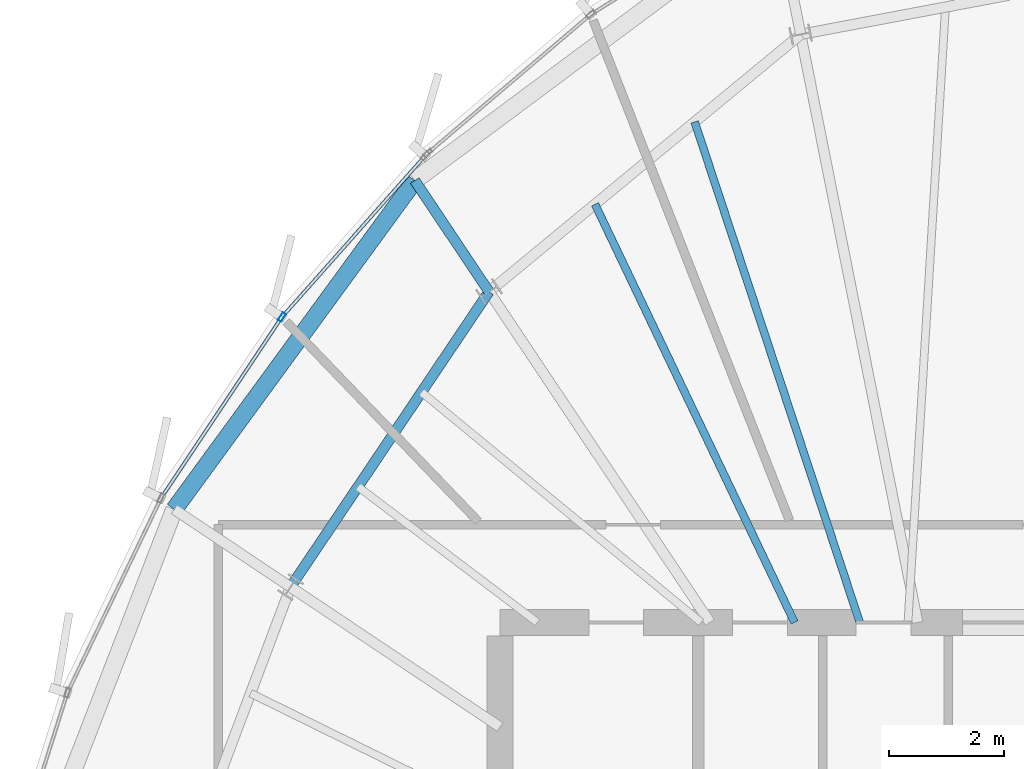
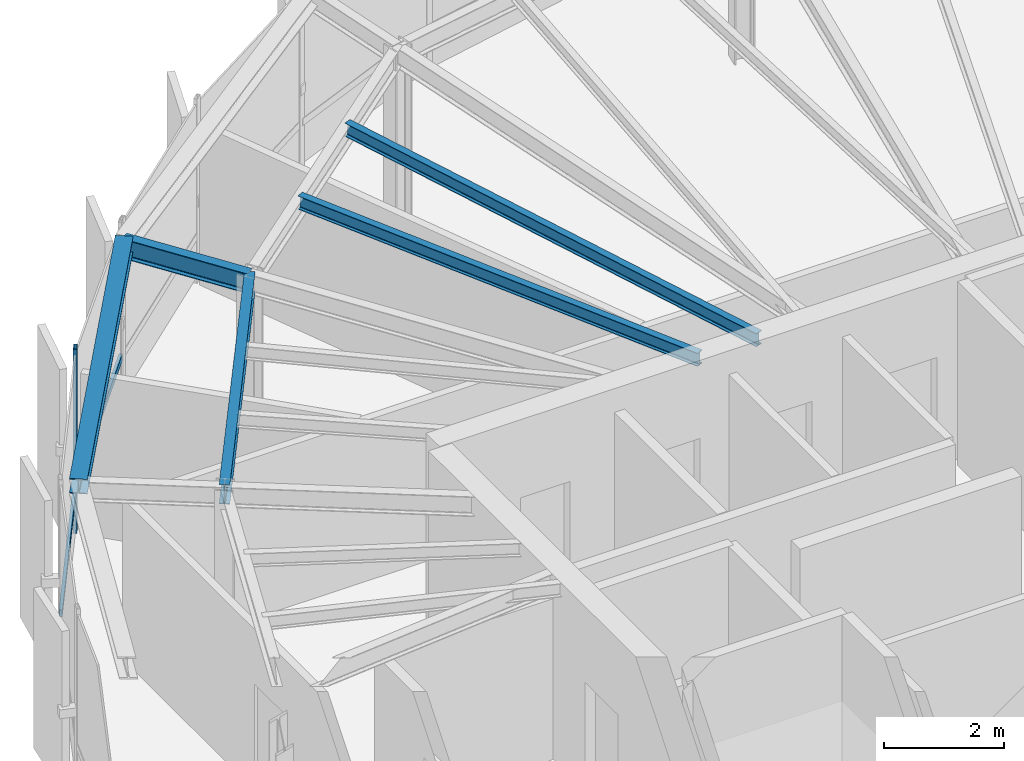
# One storey, part 14 of 27: 5 beams, 3 members, 1 element without a shape of its own.
"""IFC4 building model written with IfcOpenShell, lengths in metres."""

from ifc_helpers import new_model, si_unit, direction, frame, origin, origin_2d, place, context, subcontext, project, spatial, hollow_rectangle, i_section, extrude, source, transform, mapped, material, layer, layer_set, material_profile, profile_set, type_object, element, aggregate, save


model = new_model("IFC4")

# Units and contexts
model_context = context("Model", 3, precision=1e-05, world=origin(), true_north=direction((0.0, 1.0)))
body_context = subcontext(model_context, "Body", "Model", "MODEL_VIEW")
ifc_project = project(units=[si_unit("LENGTHUNIT", "METRE"), si_unit("AREAUNIT", "SQUARE_METRE"), si_unit("VOLUMEUNIT", "CUBIC_METRE"), si_unit("PLANEANGLEUNIT", "RADIAN"), si_unit("MASSUNIT", "GRAM", prefix="KILO"), si_unit("THERMODYNAMICTEMPERATUREUNIT", "KELVIN")], contexts=[model_context])

# Site, building, storey
site_placement = place(None, origin())
site = spatial("IfcSite", under=ifc_project, at=site_placement, CompositionType="ELEMENT")
building_placement = place(site_placement, origin())
building = spatial("IfcBuilding", under=site, at=building_placement, Name="Kethvar Cultural Tower", CompositionType="ELEMENT")
storey_placement = place(building_placement, frame((0.0, 0.0, 308.300048828125)))
storey = spatial("IfcBuildingStorey", under=building, at=storey_placement, Name="L82", CompositionType="ELEMENT", Elevation=308.300048828125)

# Beams
ifc_material_1 = material(Name="Steel S355J2", Category="steel")
ifc_material_profile_1 = material_profile(ifc_material_1, i_section(OverallWidth=0.135009765625, OverallDepth=0.27001953125, WebThickness=0.006591796875, FlangeThickness=0.01025390625, FilletRadius=0.014892578125, at=origin_2d()), Name="Steel S355J2 — IPE270")
ifc_profile_set_1 = profile_set([ifc_material_profile_1], Name="Steel S355J2 — IPE270")
beam_type_1 = type_object("IfcBeamType", Name="BM-J270", PredefinedType="JOIST", material=ifc_profile_set_1)
shared_shape_1 = source(origin(), body_context, "Body", "SweptSolid", [
    extrude(i_section(OverallWidth=0.135009765625, OverallDepth=0.27001953125, WebThickness=0.006591796875, FlangeThickness=0.01025390625, FilletRadius=0.014892578125, at=origin_2d()), origin(), (0.0, 0.0, 1.0), 9.17138671875),
])
beam_1_placement = place(storey_placement, frame((44.260986328125, 35.5, 3.597900390625), z_axis=(-0.313151555446, 0.949703165901, 0.0), x_axis=(-0.949703165901, -0.313151555446, 0.0)))
element("IfcBeam", 1, at=beam_1_placement, inside=storey, type_object=beam_type_1, Name="L82 Composite Floor Joist J-05A", PredefinedType="JOIST", context=body_context, shape_type="MappedRepresentation", body=[
    mapped(shared_shape_1, transform((0.0, 0.0, 0.0), scale=1.0)),
])
shared_shape_2 = source(origin(), body_context, "Body", "SweptSolid", [
    extrude(i_section(OverallWidth=0.135009765625, OverallDepth=0.27001953125, WebThickness=0.006591796875, FlangeThickness=0.01025390625, FilletRadius=0.014892578125, at=origin_2d()), origin(), (0.0, 0.0, 1.0), 8.063232421875),
])
beam_2_placement = place(storey_placement, frame((43.1259765625, 35.5, 3.597900390625), z_axis=(-0.430642151588, 0.902522762746, 0.0), x_axis=(-0.902522762746, -0.430642151588, 0.0)))
element("IfcBeam", 2, at=beam_2_placement, inside=storey, type_object=beam_type_1, Name="L82 Composite Floor Joist J-05B", PredefinedType="JOIST", context=body_context, shape_type="MappedRepresentation", body=[
    mapped(shared_shape_2, transform((0.0, 0.0, 0.0), scale=1.0)),
])
ifc_material_profile_2 = material_profile(ifc_material_1, i_section(OverallWidth=0.179931640625, OverallDepth=0.39990234375, WebThickness=0.008544921875, FlangeThickness=0.013427734375, FilletRadius=0.02099609375, at=origin_2d()), Name="Steel S355J2 — IPE400")
ifc_profile_set_2 = profile_set([ifc_material_profile_2], Name="Steel S355J2 — IPE400")
beam_type_2 = type_object("IfcBeamType", Name="BM-IPE400", PredefinedType="BEAM", material=ifc_profile_set_2)
shared_shape_3 = source(origin(), body_context, "Body", "SweptSolid", [
    extrude(i_section(OverallWidth=0.179931640625, OverallDepth=0.39990234375, WebThickness=0.008544921875, FlangeThickness=0.013427734375, FilletRadius=0.02099609375, at=origin_2d()), origin(), (0.0, 0.0, 1.0), 6.192626953125),
])
beam_3_placement = place(storey_placement, frame((37.8095703125, 41.255126953125, 3.532958984375), z_axis=(-0.557698912025, -0.830043326295, 0.0), x_axis=(0.830043326295, -0.557698912025, 0.0)))
element("IfcBeam", 3, at=beam_3_placement, inside=storey, type_object=beam_type_2, Name="L82 Column Ring Tie Beam CR-06", PredefinedType="BEAM", context=body_context, shape_type="MappedRepresentation", body=[
    mapped(shared_shape_3, transform((0.0, 0.0, 0.0), scale=1.0)),
])
shared_shape_4 = source(origin(), body_context, "Body", "SweptSolid", [
    extrude(i_section(OverallWidth=0.179931640625, OverallDepth=0.39990234375, WebThickness=0.008544921875, FlangeThickness=0.013427734375, FilletRadius=0.02099609375, at=origin_2d()), origin(), (0.0, 0.0, 1.0), 2.327392578125),
])
beam_4_placement = place(storey_placement, frame((37.8095703125, 41.255126953125, 3.532958984375), z_axis=(-0.555571401813, 0.831468831339, 0.0), x_axis=(-0.831468831339, -0.555571401813, 0.0)))
element("IfcBeam", 4, at=beam_4_placement, inside=storey, type_object=beam_type_2, Name="L82 Perimeter Cantilever Beam RC-06", PredefinedType="BEAM", context=body_context, shape_type="MappedRepresentation", body=[
    mapped(shared_shape_4, transform((0.0, 0.0, 0.0), scale=1.0)),
])
ifc_material_profile_3 = material_profile(ifc_material_1, i_section(OverallWidth=0.300048828125, OverallDepth=0.300048828125, WebThickness=0.010986328125, FlangeThickness=0.01904296875, FilletRadius=0.027099609375, at=origin_2d()), Name="Steel S355J2 — HEB300")
ifc_profile_set_3 = profile_set([ifc_material_profile_3], Name="Steel S355J2 — HEB300")
beam_type_3 = type_object("IfcBeamType", Name="BM-SP300", PredefinedType="SPANDREL", material=ifc_profile_set_3)
shared_shape_5 = source(origin(), body_context, "Body", "SweptSolid", [
    extrude(i_section(OverallWidth=0.300048828125, OverallDepth=0.300048828125, WebThickness=0.010986328125, FlangeThickness=0.01904296875, FilletRadius=0.027099609375, at=origin_2d()), origin(), (0.0, 0.0, 1.0), 7.089599609375),
])
beam_5_placement = place(storey_placement, frame((36.5166015625, 43.190185546875, 3.5830078125), z_axis=(-0.590203067372, -0.807254816811, 0.0), x_axis=(0.807254816811, -0.590203067372, 0.0)))
element("IfcBeam", 5, at=beam_5_placement, inside=storey, type_object=beam_type_3, Name="L82 Perimeter Spandrel Beam SP-06", PredefinedType="SPANDREL", context=body_context, shape_type="MappedRepresentation", body=[
    mapped(shared_shape_5, transform((0.0, 0.0, 0.0), scale=1.0)),
])

# Curtain wall, members
ifc_material_2 = material(Name="Aluminium 6063-T6", Category="aluminium")
ifc_layer = layer(ifc_material_2, 0.179931640625, Name="Aluminium 6063-T6", Category="aluminium")
ifc_layer_set = layer_set([ifc_layer], Name="Aluminium 6063-T6 (180 mm)")
curtain_wall_type = type_object("IfcCurtainWallType", Name="CW-SYS-06-CROWN", PredefinedType="NOTDEFINED", material=ifc_layer_set)
curtain_wall_placement = place(storey_placement, origin())
curtain_wall = element("IfcCurtainWall", 6, at=curtain_wall_placement, inside=storey, type_object=curtain_wall_type, Name="L82 Curtain Wall Run 02", PredefinedType="NOTDEFINED")
ifc_material_profile_4 = material_profile(ifc_material_2, hollow_rectangle(XDim=0.06494140625, YDim=0.159912109375, WallThickness=0.0048828125, at=origin_2d()), Name="Aluminium 6063-T6 — RHS160x65x5")
ifc_profile_set_4 = profile_set([ifc_material_profile_4], Name="Aluminium 6063-T6 — RHS160x65x5")
member_type_1 = type_object("IfcMemberType", Name="CW-SYS-06-CROWN-MUL", PredefinedType="MULLION", material=ifc_profile_set_4)
shared_shape_6 = source(origin(), body_context, "Body", "SweptSolid", [
    extrude(hollow_rectangle(XDim=0.06494140625, YDim=0.159912109375, WallThickness=0.0048828125, at=origin_2d()), origin(), (0.0, 0.0, 1.0), 3.73486328125),
])
member_1_placement = place(storey_placement, frame((34.204833984375, 40.81298828125, 0.0), z_axis=(0.0, 0.0, 1.0), x_axis=(0.831944438142, -0.554858947702, 0.0)))
member_1 = element("IfcMember", 7, at=member_1_placement, type_object=member_type_1, Name="CW-L82-R02 Mullion 2", PredefinedType="MULLION", context=body_context, shape_type="MappedRepresentation", body=[
    mapped(shared_shape_6, transform((0.0, 0.0, 0.0), scale=1.0)),
])
ifc_material_profile_5 = material_profile(ifc_material_2, hollow_rectangle(XDim=0.06005859375, YDim=0.139892578125, WallThickness=0.0048828125, at=origin_2d()), Name="Aluminium 6063-T6 — RHS140x60x5")
ifc_profile_set_5 = profile_set([ifc_material_profile_5], Name="Aluminium 6063-T6 — RHS140x60x5")
member_type_2 = type_object("IfcMemberType", Name="CW-SYS-06-CROWN-TRN", PredefinedType="USERDEFINED", material=ifc_profile_set_5)
shared_shape_7 = source(origin(), body_context, "Body", "SweptSolid", [
    extrude(hollow_rectangle(XDim=0.06005859375, YDim=0.139892578125, WallThickness=0.0048828125, at=origin_2d()), origin(), (0.0, 0.0, 1.0), 3.7177734375),
])
member_2_placement = place(storey_placement, frame((36.693603515625, 43.615478515625, 0.949951171875), z_axis=(-0.663792994987, -0.74791634546, 0.0), x_axis=(0.74791634546, -0.663792994987, 0.0)))
member_2 = element("IfcMember", 8, at=member_2_placement, type_object=member_type_2, Name="CW-L82-R02 Transom 1", ObjectType="TRANSOM", PredefinedType="USERDEFINED", context=body_context, shape_type="MappedRepresentation", body=[
    mapped(shared_shape_7, transform((0.0, 0.0, 0.0), scale=1.0)),
])
shared_shape_8 = source(origin(), body_context, "Body", "SweptSolid", [
    extrude(hollow_rectangle(XDim=0.06005859375, YDim=0.139892578125, WallThickness=0.0048828125, at=origin_2d()), origin(), (0.0, 0.0, 1.0), 3.712646484375),
])
member_3_placement = place(storey_placement, frame((34.178955078125, 40.774169921875, 0.949951171875), z_axis=(-0.554882287361, -0.831928871463, 0.0), x_axis=(0.831928871463, -0.554882287361, 0.0)))
member_3 = element("IfcMember", 9, at=member_3_placement, type_object=member_type_2, Name="CW-L82-R02 Transom 2", ObjectType="TRANSOM", PredefinedType="USERDEFINED", context=body_context, shape_type="MappedRepresentation", body=[
    mapped(shared_shape_8, transform((0.0, 0.0, 0.0), scale=1.0)),
])
aggregate(curtain_wall, [member_1, member_2, member_3])

save(model, "model.ifc")
